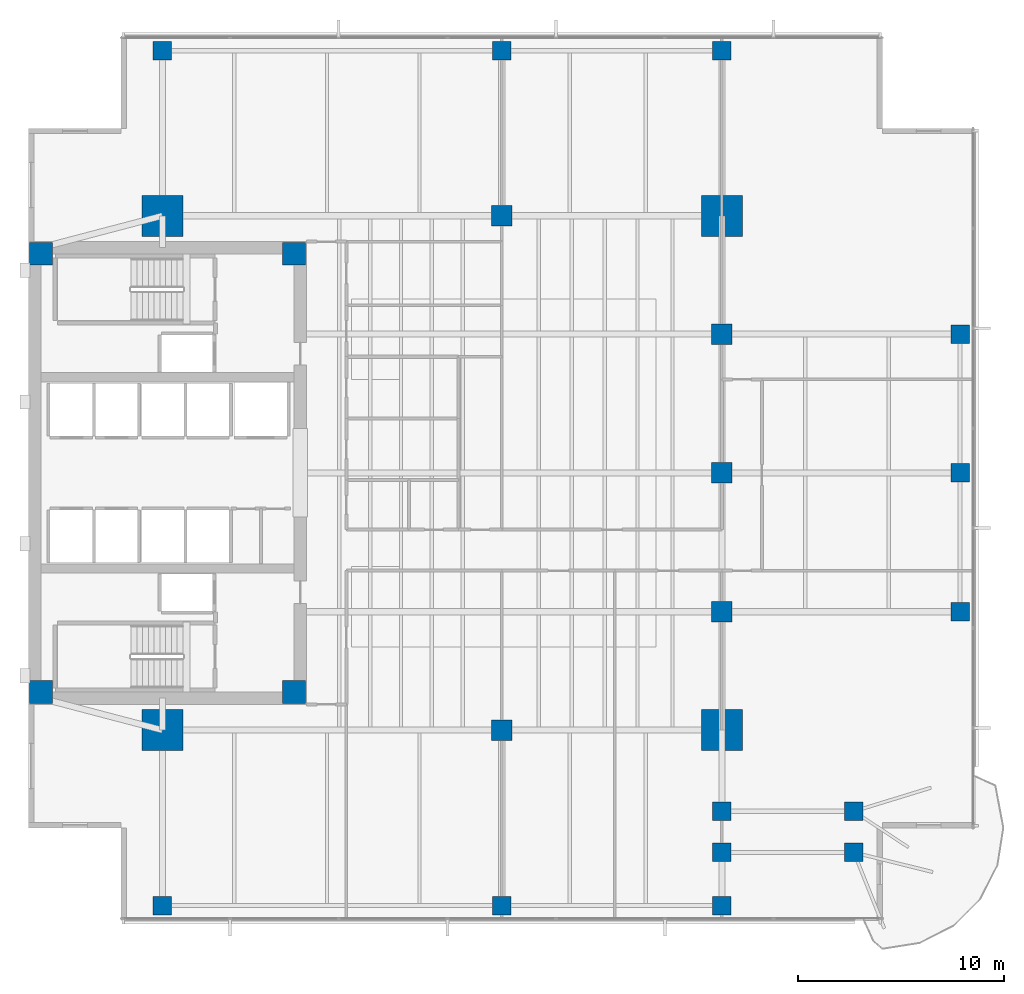
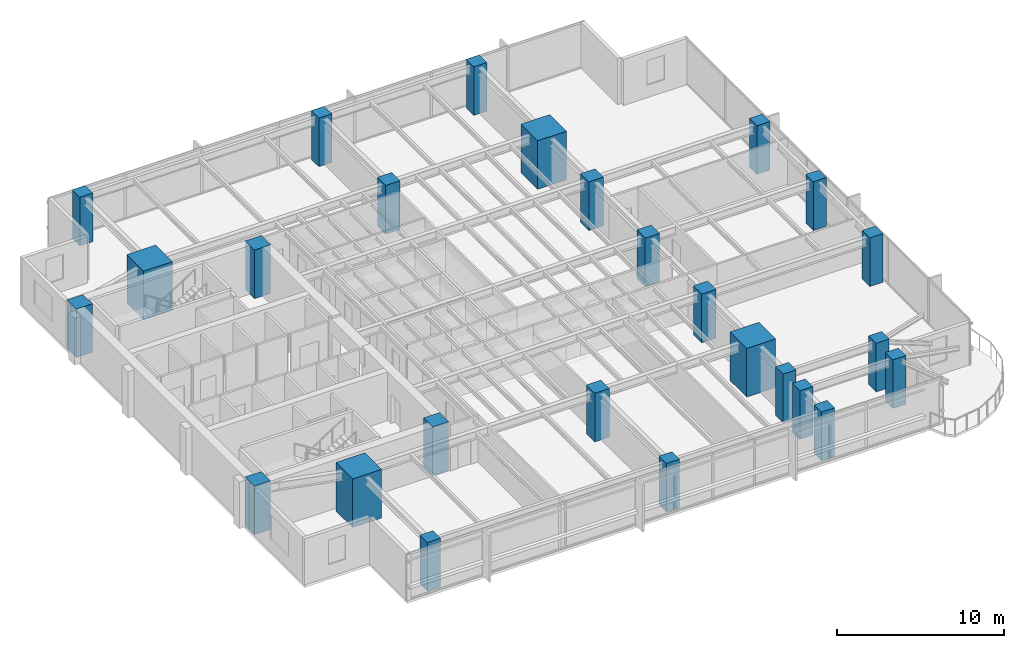
# One storey, part 1 of 15: 26 columns.
"""IFC4 building model written with IfcOpenShell, lengths in metres."""

from ifc_helpers import new_model, si_unit, direction, frame, origin, origin_2d, place, context, subcontext, project, spatial, rectangle, extrude, material, material_profile, profile_set, type_object, element, save


model = new_model("IFC4")

# Units and contexts
model_context = context("Model", 3, precision=1e-05, world=origin(), true_north=direction((0.0, 1.0)))
body_context = subcontext(model_context, "Body", "Model", "MODEL_VIEW")
ifc_project = project(units=[si_unit("LENGTHUNIT", "METRE"), si_unit("AREAUNIT", "SQUARE_METRE"), si_unit("VOLUMEUNIT", "CUBIC_METRE"), si_unit("PLANEANGLEUNIT", "RADIAN"), si_unit("MASSUNIT", "GRAM", prefix="KILO")], contexts=[model_context])

# Site, building, storey
site_placement = place(None, origin())
site = spatial("IfcSite", under=ifc_project, at=site_placement, CompositionType="ELEMENT")
building_placement = place(site_placement, origin())
building = spatial("IfcBuilding", under=site, at=building_placement, Name="Kinhvarn Gate Tower", CompositionType="ELEMENT")
storey_placement = place(building_placement, frame((0.0, 0.0, 112.89990234375)))
storey = spatial("IfcBuildingStorey", under=building, at=storey_placement, Name="L29", CompositionType="ELEMENT", Elevation=112.89990234375)

# Columns
ifc_material = material(Name="Concrete C60/75", Category="concrete")
ifc_material_profile_1 = material_profile(ifc_material, rectangle(XDim=2.0, YDim=2.0, at=origin_2d()), Name="RC 2000x2000")
ifc_profile_set_1 = profile_set([ifc_material_profile_1], Name="Concrete C60/75")
column_type_1 = type_object("IfcColumnType", Name="COL-MC-2000", PredefinedType="COLUMN", material=ifc_profile_set_1)
for number, where, z_axis, x_axis, name in (
    (1, (11.0, 12.75, 0.0), (0.0, 0.0, 1.0), (1.0, 0.0, 0.0), "Column MC1-L29 (MC-20)"),
    (2, (11.0, 37.75, 0.0), (0.0, 0.0, 1.0), (1.0, 0.0, 0.0), "Column MC4-L29 (MC-20)"),
    (3, (38.199951171875, 12.75, 0.0), (0.0, 0.0, 1.0), (1.0, 0.0, 0.0), "Column MC2-L29 (MC-20)"),
    (4, (38.199951171875, 37.75, 0.0), (0.0, 0.0, 1.0), (1.0, 0.0, 0.0), "Column MC3-L29 (MC-20)"),
):
    element("IfcColumn", number, at=place(storey_placement, frame(where, z_axis=z_axis, x_axis=x_axis)), inside=storey, type_object=column_type_1, Name=name, PredefinedType="COLUMN", context=body_context, shape_type="SweptSolid", body=[
        extrude(rectangle(XDim=2.0, YDim=2.0, at=origin_2d()), origin(), (0.0, 0.0, 1.0), 3.550048828125),
    ])
ifc_material_profile_2 = material_profile(ifc_material, rectangle(XDim=1.0, YDim=1.0, at=origin_2d()), Name="RC 1000x1000")
ifc_profile_set_2 = profile_set([ifc_material_profile_2], Name="Concrete C60/75")
column_type_2 = type_object("IfcColumnType", Name="COL-RC-1000", PredefinedType="COLUMN", material=ifc_profile_set_2)
for number, where, z_axis, x_axis, name in (
    (5, (27.5, 12.75, 0.0), (0.0, 0.0, 1.0), (1.0, 0.0, 0.0), "Column SP27-S-L29 (C-100)"),
    (6, (27.5, 37.75, 0.0), (0.0, 0.0, 1.0), (1.0, 0.0, 0.0), "Column SP27-N-L29 (C-100)"),
    (7, (38.199951171875, 18.5, 0.0), (0.0, 0.0, 1.0), (1.0, 0.0, 0.0), "Column SP38-E1-L29 (C-100)"),
    (8, (38.199951171875, 25.25, 0.0), (0.0, 0.0, 1.0), (1.0, 0.0, 0.0), "Column SP38-E2-L29 (C-100)"),
    (9, (38.199951171875, 32.0, 0.0), (0.0, 0.0, 1.0), (1.0, 0.0, 0.0), "Column SP38-E3-L29 (C-100)"),
):
    element("IfcColumn", number, at=place(storey_placement, frame(where, z_axis=z_axis, x_axis=x_axis)), inside=storey, type_object=column_type_2, Name=name, PredefinedType="COLUMN", context=body_context, shape_type="SweptSolid", body=[
        extrude(rectangle(XDim=1.0, YDim=1.0, at=origin_2d()), origin(), (0.0, 0.0, 1.0), 3.550048828125),
    ])
ifc_material_profile_3 = material_profile(ifc_material, rectangle(XDim=0.89990234375, YDim=0.89990234375, at=origin_2d()), Name="RC 900x900")
ifc_profile_set_3 = profile_set([ifc_material_profile_3], Name="Concrete C60/75")
column_type_3 = type_object("IfcColumnType", Name="COL-RC-900", PredefinedType="COLUMN", material=ifc_profile_set_3)
for number, where, z_axis, x_axis, name in (
    (10, (38.199951171875, 6.800048828125, 0.0), (0.0, 0.0, 1.0), (1.0, 0.0, 0.0), "Column CS-ANC68-L29 (C-090)"),
    (11, (38.199951171875, 8.800048828125, 0.0), (0.0, 0.0, 1.0), (1.0, 0.0, 0.0), "Column CS-ANC88-L29 (C-090)"),
    (12, (44.6201171875, 6.800048828125, 0.0), (0.0, 0.0, 1.0), (1.0, 0.0, 0.0), "Column CS-SE2-L29 (C-090)"),
    (13, (44.6201171875, 8.800048828125, 0.0), (0.0, 0.0, 1.0), (1.0, 0.0, 0.0), "Column CS-SE2B-L29 (C-090)"),
    (14, (49.780029296875, 18.5, 0.0), (0.0, 0.0, 1.0), (1.0, 0.0, 0.0), "Column CE-1-L29 (C-090)"),
    (15, (49.780029296875, 25.25, 0.0), (0.0, 0.0, 1.0), (1.0, 0.0, 0.0), "Column CE-2-L29 (C-090)"),
    (16, (49.780029296875, 32.0, 0.0), (0.0, 0.0, 1.0), (1.0, 0.0, 0.0), "Column CE-3-L29 (C-090)"),
    (17, (11.0, 4.219970703125, 0.0), (0.0, 0.0, 1.0), (1.0, 0.0, 0.0), "Column CS-0-L29 (C-090)"),
    (18, (27.5, 4.219970703125, 0.0), (0.0, 0.0, 1.0), (1.0, 0.0, 0.0), "Column CS-1-L29 (C-090)"),
    (19, (38.199951171875, 4.219970703125, 0.0), (0.0, 0.0, 1.0), (1.0, 0.0, 0.0), "Column CS-2-L29 (C-090)"),
    (20, (11.0, 45.780029296875, 0.0), (0.0, 0.0, 1.0), (1.0, 0.0, 0.0), "Column CN-0-L29 (C-090)"),
    (21, (27.5, 45.780029296875, 0.0), (0.0, 0.0, 1.0), (1.0, 0.0, 0.0), "Column CN-1-L29 (C-090)"),
    (22, (38.199951171875, 45.780029296875, 0.0), (0.0, 0.0, 1.0), (1.0, 0.0, 0.0), "Column CN-2-L29 (C-090)"),
):
    element("IfcColumn", number, at=place(storey_placement, frame(where, z_axis=z_axis, x_axis=x_axis)), inside=storey, type_object=column_type_3, Name=name, PredefinedType="COLUMN", context=body_context, shape_type="SweptSolid", body=[
        extrude(rectangle(XDim=0.89990234375, YDim=0.89990234375, at=origin_2d()), origin(), (0.0, 0.0, 1.0), 3.550048828125),
    ])
ifc_material_profile_4 = material_profile(ifc_material, rectangle(XDim=1.10009765625, YDim=1.10009765625, at=origin_2d()), Name="RC 1100x1100")
ifc_profile_set_4 = profile_set([ifc_material_profile_4], Name="Concrete C60/75")
column_type_4 = type_object("IfcColumnType", Name="PIL-RC-1100", PredefinedType="PILASTER", material=ifc_profile_set_4)
for number, where, z_axis, x_axis, name in (
    (23, (5.10009765625, 14.60009765625, 0.0), (0.0, 0.0, 1.0), (1.0, 0.0, 0.0), "Column CC-SW-L29 (CP-110)"),
    (24, (5.10009765625, 35.89990234375, 0.0), (0.0, 0.0, 1.0), (1.0, 0.0, 0.0), "Column CC-NW-L29 (CP-110)"),
    (25, (17.39990234375, 14.60009765625, 0.0), (0.0, 0.0, 1.0), (1.0, 0.0, 0.0), "Column CC-SE-L29 (CP-110)"),
    (26, (17.39990234375, 35.89990234375, 0.0), (0.0, 0.0, 1.0), (1.0, 0.0, 0.0), "Column CC-NE-L29 (CP-110)"),
):
    element("IfcColumn", number, at=place(storey_placement, frame(where, z_axis=z_axis, x_axis=x_axis)), inside=storey, type_object=column_type_4, Name=name, PredefinedType="PILASTER", context=body_context, shape_type="SweptSolid", body=[
        extrude(rectangle(XDim=1.10009765625, YDim=1.10009765625, at=origin_2d()), origin(), (0.0, 0.0, 1.0), 3.550048828125),
    ])

save(model, "model.ifc")
